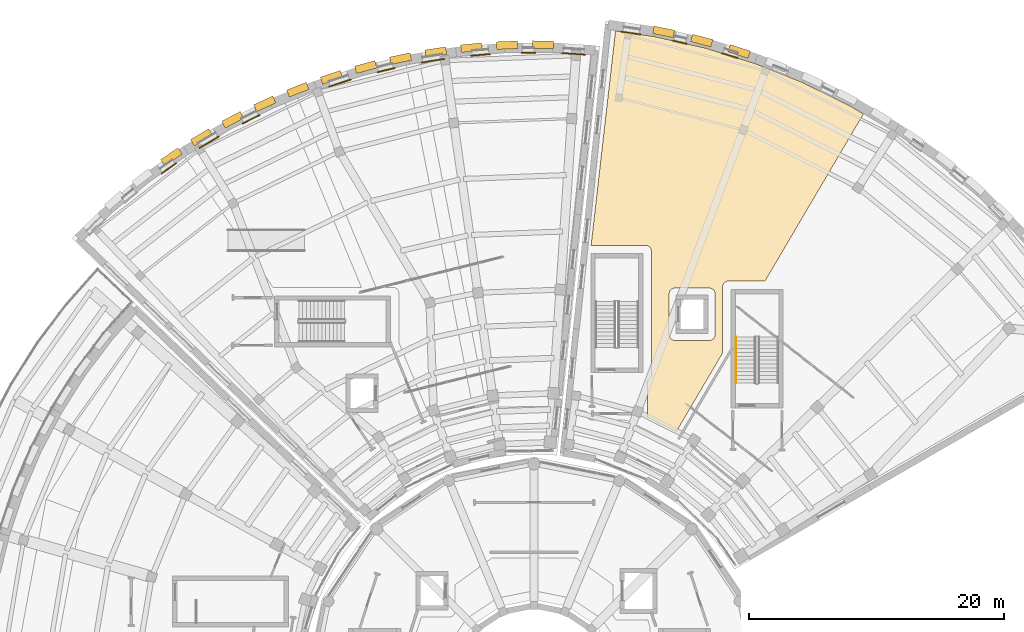
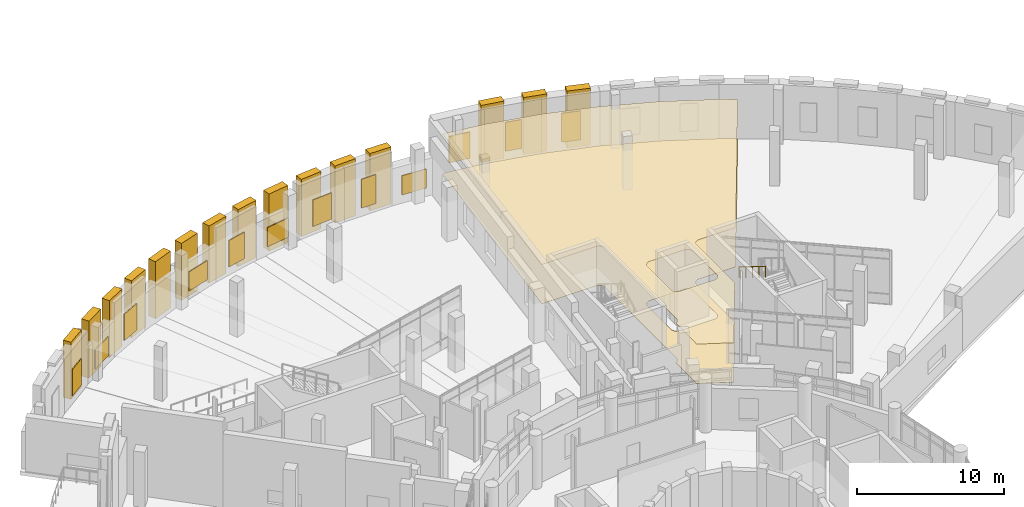
# One storey, part 70 of 75: 29 coverings, 1 railing.
"""IFC4 building model written with IfcOpenShell, lengths in metres."""

import ifcopenshell
import ifcopenshell.guid

model = None  # the IFC model being written
_history = None  # IfcOwnerHistory: only IFC2X3 demands one
_inside = {}  # id of a spatial element -> (the spatial element, [elements in it])
_under = {}  # id of a project, library or spatial element -> (it, [spatial elements below it])
_declared = {}  # id of a project -> (the project, [libraries it declares])
_typed = {}  # id of a type object -> (the type object, [elements of that type])
_made_of = {}  # id of a material, layer set ... -> (it, [elements and type objects made of it])


def new_model(schema):
    """Start an empty IFC model of exactly this schema.

    Asked for "IFC4X3", IfcOpenShell would pick the latest addendum, in which some entities
    have other attributes; the version numbers below select the first issue.
    IFC2X3 requires an IfcOwnerHistory on every rooted entity: one is made here for all.
    """
    global model, _history
    if schema == "IFC4X3":
        model = ifcopenshell.file(schema_version=(4, 3, 0, 0))
    else:
        model = ifcopenshell.file(schema=schema)
    _inside.clear()
    _under.clear()
    _declared.clear()
    _typed.clear()
    _made_of.clear()
    _history = None
    if model.schema == "IFC2X3":
        org = make("IfcOrganization", Name="unknown")
        user = make(
            "IfcPersonAndOrganization",
            ThePerson=make("IfcPerson", FamilyName="unknown"),
            TheOrganization=org,
        )
        app = make(
            "IfcApplication",
            ApplicationDeveloper=org,
            Version="unknown",
            ApplicationFullName="unknown",
            ApplicationIdentifier="unknown",
        )
        _history = make(
            "IfcOwnerHistory",
            OwningUser=user,
            OwningApplication=app,
            ChangeAction="ADDED",
            CreationDate=0,
        )
    return model


def make(cls, **values):
    """One entity of the class cls with the attributes given. An attribute that is None is left unset."""
    return model.create_entity(
        cls, **{name: value for name, value in values.items() if value is not None}
    )


def rooted(cls, **values):
    """An entity with a GlobalId (a new one), such as an element, a storey or a relation."""
    return make(cls, GlobalId=ifcopenshell.guid.new(), OwnerHistory=_history, **values)


def si_unit(unit_type, name, prefix=None):
    """IfcSIUnit, for example si_unit("LENGTHUNIT", "METRE", prefix="MILLI")."""
    return make("IfcSIUnit", UnitType=unit_type, Prefix=prefix, Name=name)


def assignment(units):
    """IfcUnitAssignment: the units of a project."""
    return None if units is None else make("IfcUnitAssignment", Units=units)


def point(xyz):
    """IfcCartesianPoint."""
    return None if xyz is None else make("IfcCartesianPoint", Coordinates=xyz)


def direction(xyz):
    """IfcDirection."""
    return None if xyz is None else make("IfcDirection", DirectionRatios=xyz)


def frame(location, z_axis=None, x_axis=None):
    """IfcAxis2Placement3D, a coordinate frame: its origin and axes. An axis left out is left unset."""
    return make(
        "IfcAxis2Placement3D",
        Location=point(location),
        Axis=direction(z_axis),
        RefDirection=direction(x_axis),
    )


def frame_2d(location, x_axis=None):
    """IfcAxis2Placement2D, a coordinate frame in the plane: its origin and x axis."""
    return make(
        "IfcAxis2Placement2D", Location=point(location), RefDirection=direction(x_axis)
    )


def origin():
    """The frame at (0, 0, 0) with its axes left unset."""
    return frame((0.0, 0.0, 0.0))


def origin_2d():
    """The frame at (0, 0) in the plane with its x axis left unset."""
    return frame_2d((0.0, 0.0))


def place(relative_to, where):
    """IfcLocalPlacement: puts the frame where relative to a parent placement (None: the world)."""
    return make(
        "IfcLocalPlacement", PlacementRelTo=relative_to, RelativePlacement=where
    )


def context(
    kind, dimensions, precision=None, world=None, true_north=None, identifier=None
):
    """IfcGeometricRepresentationContext, for example the 3D "Model" context."""
    return make(
        "IfcGeometricRepresentationContext",
        ContextIdentifier=identifier,
        ContextType=kind,
        CoordinateSpaceDimension=dimensions,
        Precision=precision,
        WorldCoordinateSystem=world,
        TrueNorth=true_north,
    )


def subcontext(parent, identifier, kind, view, scale=None):
    """IfcGeometricRepresentationSubContext, for example "Body" below "Model"."""
    return make(
        "IfcGeometricRepresentationSubContext",
        ContextIdentifier=identifier,
        ContextType=kind,
        ParentContext=parent,
        TargetScale=scale,
        TargetView=view,
    )


def project(units=None, contexts=None):
    """IfcProject with its units and contexts."""
    return rooted(
        "IfcProject",
        Name="project",
        RepresentationContexts=contexts,
        UnitsInContext=assignment(units),
    )


def spatial(cls, under=None, at=None, **own):
    """A site, building, storey or space (cls), placed at a placement, below another one or the project."""
    s = rooted(cls, ObjectPlacement=at, **own)
    if under is not None:
        _under.setdefault(under.id(), (under, []))[1].append(s)
    return s


def polyline(points):
    """IfcPolyline through the points."""
    return make("IfcPolyline", Points=[point(p) for p in points])


def profile(cls, at=None, kind="AREA", **sizes):
    """A parametric profile (cls). Its sizes go by their IFC names, for example OverallWidth=200.0."""
    return make(cls, ProfileType=kind, Position=at, **sizes)


def rectangle(**sizes):
    """IfcRectangleProfileDef."""
    return profile("IfcRectangleProfileDef", **sizes)


def circle(**sizes):
    """IfcCircleProfileDef."""
    return profile("IfcCircleProfileDef", **sizes)


def outline(outer, holes=None, kind="AREA"):
    """IfcArbitraryClosedProfileDef: a profile drawn as a closed curve; with holes, ...WithVoids."""
    if holes is None:
        return make("IfcArbitraryClosedProfileDef", ProfileType=kind, OuterCurve=outer)
    return make(
        "IfcArbitraryProfileDefWithVoids",
        ProfileType=kind,
        OuterCurve=outer,
        InnerCurves=holes,
    )


def extrude(swept, where, along, depth):
    """IfcExtrudedAreaSolid: the profile swept, set in the frame where, extruded along a direction by depth."""
    return make(
        "IfcExtrudedAreaSolid",
        SweptArea=swept,
        Position=where,
        ExtrudedDirection=direction(along),
        Depth=depth,
    )


def shape(context_of_items, identifier, shape_type, items):
    """IfcShapeRepresentation: the items that make up one representation, for example the "Body"."""
    return make(
        "IfcShapeRepresentation",
        ContextOfItems=context_of_items,
        RepresentationIdentifier=identifier,
        RepresentationType=shape_type,
        Items=items,
    )


def material(Name=None, Category=None):
    """IfcMaterial."""
    return make("IfcMaterial", Name=Name, Category=Category)


def layer(
    of_material, thickness, ventilated=None, Name=None, Category=None, Priority=None
):
    """IfcMaterialLayer: one layer of a wall or slab, of a material (None: an air gap)."""
    return make(
        "IfcMaterialLayer",
        Material=of_material,
        LayerThickness=thickness,
        IsVentilated=ventilated,
        Name=Name,
        Category=Category,
        Priority=Priority,
    )


def layer_set(layers, Name=None):
    """IfcMaterialLayerSet."""
    return make("IfcMaterialLayerSet", MaterialLayers=layers, LayerSetName=Name)


def made_of(thing, what):
    """Note that an element or type object is made of a material, layer set ...; save() writes the relation."""
    if what is not None:
        _made_of.setdefault(what.id(), (what, []))[1].append(thing)
    return thing


def type_object(cls, material=None, **own):
    """A type object (cls), such as IfcWallType, which elements share."""
    return made_of(rooted(cls, **own), material)


def element(
    cls,
    number,
    at=None,
    inside=None,
    cuts=None,
    type_object=None,
    material=None,
    context=None,
    identifier="Body",
    shape_type=None,
    held_by="IfcProductDefinitionShape",
    body=None,
    shapes=None,
    **own,
):
    """One element of the class cls, such as IfcWall. Its Tag is "e" and its number.

    at: its placement. inside: the storey or other place that contains it. cuts: it is an
    opening in that element (IfcRelVoidsElement). A single representation is given by context,
    identifier, shape_type and body (its items); several are given by shapes. held_by: the class
    of the entity that holds the representations. save() writes the other relations.
    """
    e = rooted(cls, Tag="e%d" % number, ObjectPlacement=at, **own)
    if body is not None:
        shapes = [shape(context, identifier, shape_type, body)]
    if shapes is not None:
        e.Representation = make(held_by, Representations=shapes)
    if inside is not None:
        _inside.setdefault(inside.id(), (inside, []))[1].append(e)
    if cuts is not None:
        rooted(
            "IfcRelVoidsElement", RelatingBuildingElement=cuts, RelatedOpeningElement=e
        )
    if type_object is not None:
        _typed.setdefault(type_object.id(), (type_object, []))[1].append(e)
    return made_of(e, material)


def aggregate(whole, parts):
    """IfcRelAggregates: a whole, such as a stair, and the parts it consists of."""
    return rooted("IfcRelAggregates", RelatingObject=whole, RelatedObjects=parts)


def save(model, path):
    """Write the relations noted so far, then the file.

    IfcRelAggregates (storeys below a building ...), IfcRelContainedInSpatialStructure (elements
    in a storey), IfcRelDefinesByType, IfcRelAssociatesMaterial and IfcRelDeclares: one each for
    every whole, place, type object, material and project.
    """
    for whole, parts in _under.values():
        aggregate(whole, parts)
    for where, things in _inside.values():
        rooted(
            "IfcRelContainedInSpatialStructure",
            RelatedElements=things,
            RelatingStructure=where,
        )
    for kind, things in _typed.values():
        rooted("IfcRelDefinesByType", RelatedObjects=things, RelatingType=kind)
    for what, things in _made_of.values():
        rooted("IfcRelAssociatesMaterial", RelatedObjects=things, RelatingMaterial=what)
    for by, libraries in _declared.values():
        rooted("IfcRelDeclares", RelatingContext=by, RelatedDefinitions=libraries)
    model.write(path)


model = new_model("IFC4")

# Units and contexts
model_context = context("Model", 3, precision=1e-05, world=origin(), true_north=direction((0.0, 1.0)))
body_context = subcontext(model_context, "Body", "Model", "MODEL_VIEW")
ifc_project = project(units=[si_unit("LENGTHUNIT", "METRE"), si_unit("AREAUNIT", "SQUARE_METRE"), si_unit("VOLUMEUNIT", "CUBIC_METRE"), si_unit("PLANEANGLEUNIT", "RADIAN"), si_unit("MASSUNIT", "GRAM", prefix="KILO")], contexts=[model_context])

# Site, building, storey
site_placement = place(None, origin())
site = spatial("IfcSite", under=ifc_project, at=site_placement, CompositionType="ELEMENT")
building_placement = place(site_placement, origin())
building = spatial("IfcBuilding", under=site, at=building_placement, Name="Soyqirgoq Riverine Aquarium", CompositionType="ELEMENT")
storey_placement = place(building_placement, frame((0.0, 0.0, 10.199951171875)))
storey = spatial("IfcBuildingStorey", under=building, at=storey_placement, Name="L03", CompositionType="ELEMENT", Elevation=10.199951171875)

# Coverings
ifc_material_1 = material(Name="Seamless slip-resistant marine epoxy flooring", Category="concrete")
ifc_layer_1 = layer(ifc_material_1, 0.02001953125)
ifc_layer_set_1 = layer_set([ifc_layer_1], Name="Seamless slip-resistant marine epoxy flooring")
covering_type_1 = type_object("IfcCoveringType", Name="EpoxyWetFloorFinish_20", PredefinedType="FLOORING", material=ifc_layer_set_1)
covering_1_placement = place(storey_placement, origin())
element("IfcCovering", 1, at=covering_1_placement, inside=storey, type_object=covering_type_1, Name="Ichthyology Taxonomy Laboratory Floor Finish", PredefinedType="FLOORING", context=body_context, shape_type="SweptSolid", body=[
    extrude(outline(polyline([(62.39208984375, 108.424072265625), (65.448974609375, 107.98095703125), (69.419921875, 107.0830078125), (73.30810546875, 105.875), (77.089111328125, 104.366943359375), (80.739990234375, 102.56591796875), (81.840087890625, 101.912109375), (74.116943359375, 88.800048828125), (71.25, 88.800048828125), (71.2060546875, 88.798095703125), (71.162109375, 88.791015625), (71.118896484375, 88.781005859375), (71.077880859375, 88.76611328125), (71.0380859375, 88.7470703125), (71.0, 88.72412109375), (70.965087890625, 88.697998046875), (70.931884765625, 88.66796875), (70.902099609375, 88.635009765625), (70.8759765625, 88.60009765625), (70.85302734375, 88.56201171875), (70.833984375, 88.52197265625), (70.819091796875, 88.48095703125), (70.80908203125, 88.43798828125), (70.802001953125, 88.39404296875), (70.800048828125, 88.35009765625), (70.800048828125, 83.169921875), (67.1650390625, 76.998046875), (64.8359375, 78.14599609375), (64.8369140625, 78.14794921875), (64.85595703125, 78.18798828125), (64.87109375, 78.22900390625), (64.881103515625, 78.27197265625), (64.887939453125, 78.31591796875), (64.889892578125, 78.360107421875), (64.889892578125, 81.02294921875), (64.922119140625, 81.033935546875), (64.9619140625, 81.052978515625), (65.0, 81.075927734375), (65.034912109375, 81.10205078125), (65.068115234375, 81.132080078125), (65.097900390625, 81.1650390625), (65.1240234375, 81.199951171875), (65.14697265625, 81.238037109375), (65.166015625, 81.278076171875), (65.180908203125, 81.319091796875), (65.19091796875, 81.362060546875), (65.197998046875, 81.406005859375), (65.199951171875, 81.449951171875), (65.199951171875, 91.14990234375), (65.197998046875, 91.194091796875), (65.19091796875, 91.238037109375), (65.180908203125, 91.281005859375), (65.166015625, 91.322021484375), (65.14697265625, 91.362060546875), (65.1240234375, 91.39990234375), (65.097900390625, 91.43505859375), (65.068115234375, 91.468017578125), (65.034912109375, 91.498046875), (65.0, 91.52392578125), (64.9619140625, 91.547119140625), (64.922119140625, 91.56591796875), (64.881103515625, 91.5810546875), (64.837890625, 91.591064453125), (64.7939453125, 91.597900390625), (64.75, 91.60009765625), (60.47607421875, 91.60009765625), (62.39208984375, 108.424072265625)]), holes=[polyline([(66.60009765625, 87.800048828125), (66.60205078125, 87.843994140625), (66.60888671875, 87.887939453125), (66.618896484375, 87.930908203125), (66.634033203125, 87.971923828125), (66.653076171875, 88.011962890625), (66.676025390625, 88.050048828125), (66.701904296875, 88.0849609375), (66.73193359375, 88.117919921875), (66.764892578125, 88.14794921875), (66.800048828125, 88.174072265625), (66.837890625, 88.197021484375), (66.8779296875, 88.216064453125), (66.9189453125, 88.23095703125), (66.9619140625, 88.240966796875), (67.006103515625, 88.248046875), (67.050048828125, 88.25), (69.75, 88.25), (69.7939453125, 88.248046875), (69.837890625, 88.240966796875), (69.881103515625, 88.23095703125), (69.922119140625, 88.216064453125), (69.9619140625, 88.197021484375), (70.0, 88.174072265625), (70.034912109375, 88.14794921875), (70.068115234375, 88.117919921875), (70.097900390625, 88.0849609375), (70.1240234375, 88.050048828125), (70.14697265625, 88.011962890625), (70.166015625, 87.971923828125), (70.180908203125, 87.930908203125), (70.19091796875, 87.887939453125), (70.197998046875, 87.843994140625), (70.199951171875, 87.800048828125), (70.199951171875, 84.60009765625), (70.197998046875, 84.555908203125), (70.19091796875, 84.511962890625), (70.180908203125, 84.468994140625), (70.166015625, 84.427978515625), (70.14697265625, 84.387939453125), (70.1240234375, 84.35009765625), (70.097900390625, 84.31494140625), (70.068115234375, 84.281982421875), (70.034912109375, 84.251953125), (70.0, 84.22607421875), (69.9619140625, 84.202880859375), (69.922119140625, 84.18408203125), (69.881103515625, 84.1689453125), (69.837890625, 84.158935546875), (69.7939453125, 84.152099609375), (69.75, 84.14990234375), (67.050048828125, 84.14990234375), (67.006103515625, 84.152099609375), (66.9619140625, 84.158935546875), (66.9189453125, 84.1689453125), (66.8779296875, 84.18408203125), (66.837890625, 84.202880859375), (66.800048828125, 84.22607421875), (66.764892578125, 84.251953125), (66.73193359375, 84.281982421875), (66.701904296875, 84.31494140625), (66.676025390625, 84.35009765625), (66.653076171875, 84.387939453125), (66.634033203125, 84.427978515625), (66.618896484375, 84.468994140625), (66.60888671875, 84.511962890625), (66.60205078125, 84.555908203125), (66.60009765625, 84.60009765625), (66.60009765625, 87.800048828125)])]), origin(), (0.0, 0.0, 1.0), 0.02001953125),
])
ifc_material_2 = material(Name="Anodised aluminium marine moisture-resistant ceiling", Category="aluminium")
ifc_layer_2 = layer(ifc_material_2, 0.0400390625)
ifc_layer_set_2 = layer_set([ifc_layer_2], Name="Anodised aluminium marine moisture-resistant ceiling")
covering_type_2 = type_object("IfcCoveringType", Name="MoistureCeiling_40", PredefinedType="CEILING", material=ifc_layer_set_2)
covering_2_placement = place(storey_placement, frame((0.0, 0.0, 3.260009765625)))
element("IfcCovering", 2, at=covering_2_placement, inside=storey, type_object=covering_type_2, Name="Ichthyology Taxonomy Laboratory Suspended Ceiling", PredefinedType="CEILING", context=body_context, shape_type="SweptSolid", body=[
    extrude(outline(polyline([(62.39208984375, 108.424072265625), (65.448974609375, 107.98095703125), (69.419921875, 107.0830078125), (73.30810546875, 105.875), (77.089111328125, 104.366943359375), (80.739990234375, 102.56591796875), (81.840087890625, 101.912109375), (74.116943359375, 88.800048828125), (71.25, 88.800048828125), (71.2060546875, 88.798095703125), (71.162109375, 88.791015625), (71.118896484375, 88.781005859375), (71.077880859375, 88.76611328125), (71.0380859375, 88.7470703125), (71.0, 88.72412109375), (70.965087890625, 88.697998046875), (70.931884765625, 88.66796875), (70.902099609375, 88.635009765625), (70.8759765625, 88.60009765625), (70.85302734375, 88.56201171875), (70.833984375, 88.52197265625), (70.819091796875, 88.48095703125), (70.80908203125, 88.43798828125), (70.802001953125, 88.39404296875), (70.800048828125, 88.35009765625), (70.800048828125, 83.169921875), (67.1650390625, 76.998046875), (64.8359375, 78.14599609375), (64.8369140625, 78.14794921875), (64.85595703125, 78.18798828125), (64.87109375, 78.22900390625), (64.881103515625, 78.27197265625), (64.887939453125, 78.31591796875), (64.889892578125, 78.360107421875), (64.889892578125, 81.02294921875), (64.922119140625, 81.033935546875), (64.9619140625, 81.052978515625), (65.0, 81.075927734375), (65.034912109375, 81.10205078125), (65.068115234375, 81.132080078125), (65.097900390625, 81.1650390625), (65.1240234375, 81.199951171875), (65.14697265625, 81.238037109375), (65.166015625, 81.278076171875), (65.180908203125, 81.319091796875), (65.19091796875, 81.362060546875), (65.197998046875, 81.406005859375), (65.199951171875, 81.449951171875), (65.199951171875, 91.14990234375), (65.197998046875, 91.194091796875), (65.19091796875, 91.238037109375), (65.180908203125, 91.281005859375), (65.166015625, 91.322021484375), (65.14697265625, 91.362060546875), (65.1240234375, 91.39990234375), (65.097900390625, 91.43505859375), (65.068115234375, 91.468017578125), (65.034912109375, 91.498046875), (65.0, 91.52392578125), (64.9619140625, 91.547119140625), (64.922119140625, 91.56591796875), (64.881103515625, 91.5810546875), (64.837890625, 91.591064453125), (64.7939453125, 91.597900390625), (64.75, 91.60009765625), (60.47607421875, 91.60009765625), (62.39208984375, 108.424072265625)]), holes=[polyline([(66.60009765625, 87.800048828125), (66.60205078125, 87.843994140625), (66.60888671875, 87.887939453125), (66.618896484375, 87.930908203125), (66.634033203125, 87.971923828125), (66.653076171875, 88.011962890625), (66.676025390625, 88.050048828125), (66.701904296875, 88.0849609375), (66.73193359375, 88.117919921875), (66.764892578125, 88.14794921875), (66.800048828125, 88.174072265625), (66.837890625, 88.197021484375), (66.8779296875, 88.216064453125), (66.9189453125, 88.23095703125), (66.9619140625, 88.240966796875), (67.006103515625, 88.248046875), (67.050048828125, 88.25), (69.75, 88.25), (69.7939453125, 88.248046875), (69.837890625, 88.240966796875), (69.881103515625, 88.23095703125), (69.922119140625, 88.216064453125), (69.9619140625, 88.197021484375), (70.0, 88.174072265625), (70.034912109375, 88.14794921875), (70.068115234375, 88.117919921875), (70.097900390625, 88.0849609375), (70.1240234375, 88.050048828125), (70.14697265625, 88.011962890625), (70.166015625, 87.971923828125), (70.180908203125, 87.930908203125), (70.19091796875, 87.887939453125), (70.197998046875, 87.843994140625), (70.199951171875, 87.800048828125), (70.199951171875, 84.60009765625), (70.197998046875, 84.555908203125), (70.19091796875, 84.511962890625), (70.180908203125, 84.468994140625), (70.166015625, 84.427978515625), (70.14697265625, 84.387939453125), (70.1240234375, 84.35009765625), (70.097900390625, 84.31494140625), (70.068115234375, 84.281982421875), (70.034912109375, 84.251953125), (70.0, 84.22607421875), (69.9619140625, 84.202880859375), (69.922119140625, 84.18408203125), (69.881103515625, 84.1689453125), (69.837890625, 84.158935546875), (69.7939453125, 84.152099609375), (69.75, 84.14990234375), (67.050048828125, 84.14990234375), (67.006103515625, 84.152099609375), (66.9619140625, 84.158935546875), (66.9189453125, 84.1689453125), (66.8779296875, 84.18408203125), (66.837890625, 84.202880859375), (66.800048828125, 84.22607421875), (66.764892578125, 84.251953125), (66.73193359375, 84.281982421875), (66.701904296875, 84.31494140625), (66.676025390625, 84.35009765625), (66.653076171875, 84.387939453125), (66.634033203125, 84.427978515625), (66.618896484375, 84.468994140625), (66.60888671875, 84.511962890625), (66.60205078125, 84.555908203125), (66.60009765625, 84.60009765625), (66.60009765625, 87.800048828125)])]), origin(), (0.0, 0.0, 1.0), 0.0400390625),
])
ifc_material_3 = material(Name="Anodised extruded aluminium sunshade", Category="aluminium")
covering_type_3 = type_object("IfcCoveringType", Name="SolarShadingLouvre_450", PredefinedType="USERDEFINED", material=ifc_material_3)
covering_3_placement = place(storey_placement, frame((27.361083984375, 97.648193359375, 0.75), z_axis=(0.0, 0.0, 1.0), x_axis=(0.817446605564, 0.576004381105, 0.0)))
element("IfcCovering", 3, at=covering_3_placement, inside=storey, type_object=covering_type_3, Name="V4 L03 Travertine Niche Solar Shade 0057", ObjectType="SOLAR_SHADING", PredefinedType="USERDEFINED", context=body_context, shape_type="SweptSolid", body=[
    extrude(rectangle(XDim=1.43994140625, YDim=0.080078125, at=origin_2d()), origin(), (0.0, 0.0, 1.0), 2.199951171875),
])
covering_4_placement = place(storey_placement, frame((30.514404296875, 99.696044921875, 0.75), z_axis=(0.0, 0.0, 1.0), x_axis=(0.858691674181, 0.512492545011, 0.0)))
element("IfcCovering", 4, at=covering_4_placement, inside=storey, type_object=covering_type_3, Name="V4 L03 Travertine Niche Solar Shade 0058", ObjectType="SOLAR_SHADING", PredefinedType="USERDEFINED", context=body_context, shape_type="SweptSolid", body=[
    extrude(rectangle(XDim=1.840087890625, YDim=0.080078125, at=origin_2d()), origin(), (0.0, 0.0, 1.0), 1.60009765625),
])
covering_5_placement = place(storey_placement, frame((33.813232421875, 101.499755859375, 0.75), z_axis=(0.0, 0.0, 1.0), x_axis=(0.894934361602, 0.44619781311, 0.0)))
element("IfcCovering", 5, at=covering_5_placement, inside=storey, type_object=covering_type_3, Name="V4 L03 Travertine Niche Solar Shade 0059", ObjectType="SOLAR_SHADING", PredefinedType="USERDEFINED", context=body_context, shape_type="SweptSolid", body=[
    extrude(rectangle(XDim=1.5400390625, YDim=0.080078125, at=origin_2d()), origin(), (0.0, 0.0, 1.0), 2.199951171875),
])
covering_6_placement = place(storey_placement, frame((40.772216796875, 104.334716796875, 0.75), z_axis=(0.0, 0.0, 1.0), x_axis=(0.951969200546, 0.306193796821, 0.0)))
element("IfcCovering", 6, at=covering_6_placement, inside=storey, type_object=covering_type_3, Name="V4 L03 Travertine Niche Solar Shade 0060", ObjectType="SOLAR_SHADING", PredefinedType="USERDEFINED", context=body_context, shape_type="SweptSolid", body=[
    extrude(rectangle(XDim=1.840087890625, YDim=0.080078125, at=origin_2d()), origin(), (0.0, 0.0, 1.0), 1.60009765625),
])
covering_7_placement = place(storey_placement, frame((44.39208984375, 105.35009765625, 0.75), z_axis=(0.0, 0.0, 1.0), x_axis=(0.972369920398, 0.233445363856, 0.0)))
element("IfcCovering", 7, at=covering_7_placement, inside=storey, type_object=covering_type_3, Name="V4 L03 Travertine Niche Solar Shade 0061", ObjectType="SOLAR_SHADING", PredefinedType="USERDEFINED", context=body_context, shape_type="SweptSolid", body=[
    extrude(rectangle(XDim=1.43994140625, YDim=0.080078125, at=origin_2d()), origin(), (0.0, 0.0, 1.0), 2.199951171875),
])
covering_8_placement = place(storey_placement, frame((48.07861328125, 106.0888671875, 0.75), z_axis=(0.0, 0.0, 1.0), x_axis=(0.987219843349, 0.15936430246, 0.0)))
element("IfcCovering", 8, at=covering_8_placement, inside=storey, type_object=covering_type_3, Name="V4 L03 Travertine Niche Solar Shade 0062", ObjectType="SOLAR_SHADING", PredefinedType="USERDEFINED", context=body_context, shape_type="SweptSolid", body=[
    extrude(rectangle(XDim=1.840087890625, YDim=0.080078125, at=origin_2d()), origin(), (0.0, 0.0, 1.0), 1.60009765625),
])
covering_9_placement = place(storey_placement, frame((51.810302734375, 106.547119140625, 0.75), z_axis=(0.0, 0.0, 1.0), x_axis=(0.996448909038, 0.084199594279, 0.0)))
element("IfcCovering", 9, at=covering_9_placement, inside=storey, type_object=covering_type_3, Name="V4 L03 Travertine Niche Solar Shade 0063", ObjectType="SOLAR_SHADING", PredefinedType="USERDEFINED", context=body_context, shape_type="SweptSolid", body=[
    extrude(rectangle(XDim=1.5400390625, YDim=0.080078125, at=origin_2d()), origin(), (0.0, 0.0, 1.0), 2.199951171875),
])
covering_10_placement = place(storey_placement, frame((55.566162109375, 106.721923828125, 0.75), z_axis=(0.0, 0.0, 1.0), x_axis=(0.999961923064, 0.008726535498, 0.0)))
element("IfcCovering", 10, at=covering_10_placement, inside=storey, type_object=covering_type_3, Name="V4 L03 Travertine Niche Solar Shade 0064", ObjectType="SOLAR_SHADING", PredefinedType="USERDEFINED", context=body_context, shape_type="SweptSolid", body=[
    extrude(rectangle(XDim=1.139892578125, YDim=0.080078125, at=origin_2d()), origin(), (0.0, 0.0, 1.0), 2.39990234375),
])
covering_11_placement = place(storey_placement, frame((59.094482421875, 106.628173828125, 0.75), z_axis=(0.0, 0.0, 1.0), x_axis=(0.997766630584, -0.066796338919, 0.0)))
element("IfcCovering", 11, at=covering_11_placement, inside=storey, type_object=covering_type_3, Name="V4 L03 Travertine Niche Solar Shade 0065", ObjectType="SOLAR_SHADING", PredefinedType="USERDEFINED", context=body_context, shape_type="SweptSolid", body=[
    extrude(rectangle(XDim=1.840087890625, YDim=0.080078125, at=origin_2d()), origin(), (0.0, 0.0, 1.0), 1.60009765625),
])
covering_12_placement = place(storey_placement, frame((63.614013671875, 108.25732421875, 0.75), z_axis=(0.0, 0.0, 1.0), x_axis=(0.98965138682, -0.143492621991, 0.0)))
element("IfcCovering", 12, at=covering_12_placement, inside=storey, type_object=covering_type_3, Name="V5 L03 Travertine Niche Solar Shade 0085", ObjectType="SOLAR_SHADING", PredefinedType="USERDEFINED", context=body_context, shape_type="SweptSolid", body=[
    extrude(rectangle(XDim=1.5400390625, YDim=0.080078125, at=origin_2d()), origin(), (0.0, 0.0, 1.0), 2.199951171875),
])
covering_13_placement = place(storey_placement, frame((67.436279296875, 107.541748046875, 0.75), z_axis=(0.0, 0.0, 1.0), x_axis=(0.975342320509, -0.220697435022, 0.0)))
element("IfcCovering", 13, at=covering_13_placement, inside=storey, type_object=covering_type_3, Name="V5 L03 Travertine Niche Solar Shade 0086", ObjectType="SOLAR_SHADING", PredefinedType="USERDEFINED", context=body_context, shape_type="SweptSolid", body=[
    extrude(rectangle(XDim=1.139892578125, YDim=0.080078125, at=origin_2d()), origin(), (0.0, 0.0, 1.0), 2.39990234375),
])
covering_14_placement = place(storey_placement, frame((71.36669921875, 106.48876953125, 0.75), z_axis=(0.0, 0.0, 1.0), x_axis=(0.955019944457, -0.296541574976, 0.0)))
element("IfcCovering", 14, at=covering_14_placement, inside=storey, type_object=covering_type_3, Name="V5 L03 Travertine Niche Solar Shade 0087", ObjectType="SOLAR_SHADING", PredefinedType="USERDEFINED", context=body_context, shape_type="SweptSolid", body=[
    extrude(rectangle(XDim=1.340087890625, YDim=0.080078125, at=origin_2d()), origin(), (0.0, 0.0, 1.0), 2.39990234375),
])

# Railing
ifc_material_4 = material(Name="Brushed stainless steel 316L tubular handrail", Category="steel")
railing_type = type_object("IfcRailingType", Name="StairPitchHandrail_920", PredefinedType="HANDRAIL", material=ifc_material_4)
railing_placement = place(storey_placement, frame((71.85009765625, 84.39990234375, 2.584716796875)))
element("IfcRailing", 15, at=railing_placement, inside=storey, type_object=railing_type, Name="L03 ST-6 stair handrail 2", PredefinedType="HANDRAIL", context=body_context, shape_type="SweptSolid", body=[
    extrude(circle(Radius=0.02392578125, at=origin_2d()), frame((0.0, 0.0, 0.89990234375), z_axis=(0.0, -0.851654350407, 0.524103870844), x_axis=(1.0, 0.0, 0.0)), (0.0, 0.0, 1.0), 4.226806640625),
    extrude(circle(Radius=0.02099609375, at=origin_2d()), origin(), (0.0, 0.0, 1.0), 0.875732421875),
    extrude(circle(Radius=0.02099609375, at=origin_2d()), frame((0.0, -0.89990234375, 0.5537109375)), (0.0, 0.0, 1.0), 0.875732421875),
    extrude(circle(Radius=0.02099609375, at=origin_2d()), frame((0.0, -1.7998046875, 1.107666015625)), (0.0, 0.0, 1.0), 0.875732421875),
    extrude(circle(Radius=0.02099609375, at=origin_2d()), frame((0.0, -2.699951171875, 1.66162109375)), (0.0, 0.0, 1.0), 0.875732421875),
    extrude(circle(Radius=0.02099609375, at=origin_2d()), frame((0.0, -3.599853515625, 2.21533203125)), (0.0, 0.0, 1.0), 0.875732421875),
])

# Coverings
ifc_material_5 = material(Name="Honed Uzbek travertine limestone vertical niche pier", Category="masonry")
covering_type_4 = type_object("IfcCoveringType", Name="TravertineNichePier_550", PredefinedType="CLADDING", material=ifc_material_5)
for number, where, z_axis, x_axis, name in (
    (16, (56.702880859375, 107.34521484375, 0.0), (0.0, 0.0, 1.0), (0.013962180339, 0.999902524009, 0.0), "V4 L03 Travertine Vertical Niche Pier 090"),
    (17, (53.8916015625, 107.305908203125, 0.0), (0.0, 0.0, 1.0), (-0.041875653729, 0.999122830099, 0.0), "V4 L03 Travertine Vertical Niche Pier 091"),
    (18, (51.086669921875, 107.109619140625, 0.0), (0.0, 0.0, 1.0), (-0.097582899759, 0.995227399982, 0.0), "V4 L03 Travertine Vertical Niche Pier 092"),
    (19, (48.297119140625, 106.75732421875, 0.0), (0.0, 0.0, 1.0), (-0.152985836284, 0.988228381447, 0.0), "V4 L03 Travertine Vertical Niche Pier 093"),
    (20, (45.531494140625, 106.249755859375, 0.0), (0.0, 0.0, 1.0), (-0.207911690818, 0.978147600734, 0.0), "V4 L03 Travertine Vertical Niche Pier 094"),
    (21, (42.798828125, 105.588623046875, 0.0), (0.0, 0.0, 1.0), (-0.262189178641, 0.965016494472, 0.0), "V4 L03 Travertine Vertical Niche Pier 095"),
    (22, (40.107177734375, 104.77587890625, 0.0), (0.0, 0.0, 1.0), (-0.315649036947, 0.948876011644, 0.0), "V4 L03 Travertine Vertical Niche Pier 096"),
    (23, (37.46484375, 103.814208984375, 0.0), (0.0, 0.0, 1.0), (-0.368124552685, 0.929776485888, 0.0), "V4 L03 Travertine Vertical Niche Pier 097"),
    (24, (34.880615234375, 102.70654296875, 0.0), (0.0, 0.0, 1.0), (-0.419452082446, 0.907777478533, 0.0), "V4 L03 Travertine Vertical Niche Pier 098"),
    (25, (32.362060546875, 101.456298828125, 0.0), (0.0, 0.0, 1.0), (-0.469471562786, 0.882947592859, 0.0), "V4 L03 Travertine Vertical Niche Pier 099"),
    (26, (29.917236328125, 100.067626953125, 0.0), (0.0, 0.0, 1.0), (-0.518027009373, 0.855364260161, 0.0), "V4 L03 Travertine Vertical Niche Pier 100"),
    (27, (27.553955078125, 98.54443359375, 0.0), (0.0, 0.0, 1.0), (-0.564967003425, 0.825113498278, 0.0), "V4 L03 Travertine Vertical Niche Pier 101"),
    (28, (72.0966796875, 106.813720703125, 0.0), (0.0, 0.0, 1.0), (0.307522697673, 0.951540745537, 0.0), "V5 L03 Travertine Vertical Niche Pier 154"),
    (29, (69.155029296875, 107.670166015625, 0.0), (0.0, 0.0, 1.0), (0.251224776808, 0.96792877399, 0.0), "V5 L03 Travertine Vertical Niche Pier 155"),
    (30, (66.168212890625, 108.35302734375, 0.0), (0.0, 0.0, 1.0), (0.19423435122, 0.980955155349, 0.0), "V5 L03 Travertine Vertical Niche Pier 156"),
):
    element("IfcCovering", number, at=place(storey_placement, frame(where, z_axis=z_axis, x_axis=x_axis)), inside=storey, type_object=covering_type_4, Name=name, PredefinedType="CLADDING", context=body_context, shape_type="SweptSolid", body=[
        extrude(rectangle(XDim=0.60009765625, YDim=1.64990234375, at=origin_2d()), origin(), (0.0, 0.0, 1.0), 4.75),
    ])

save(model, "model.ifc")
